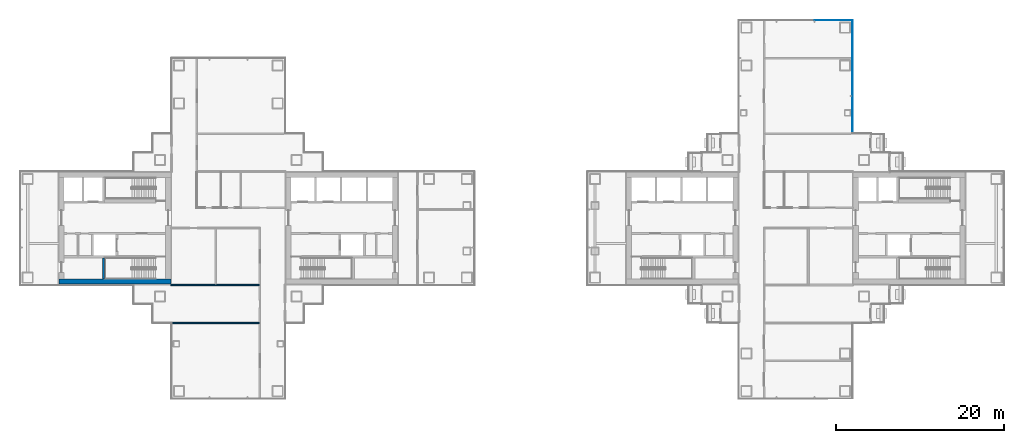
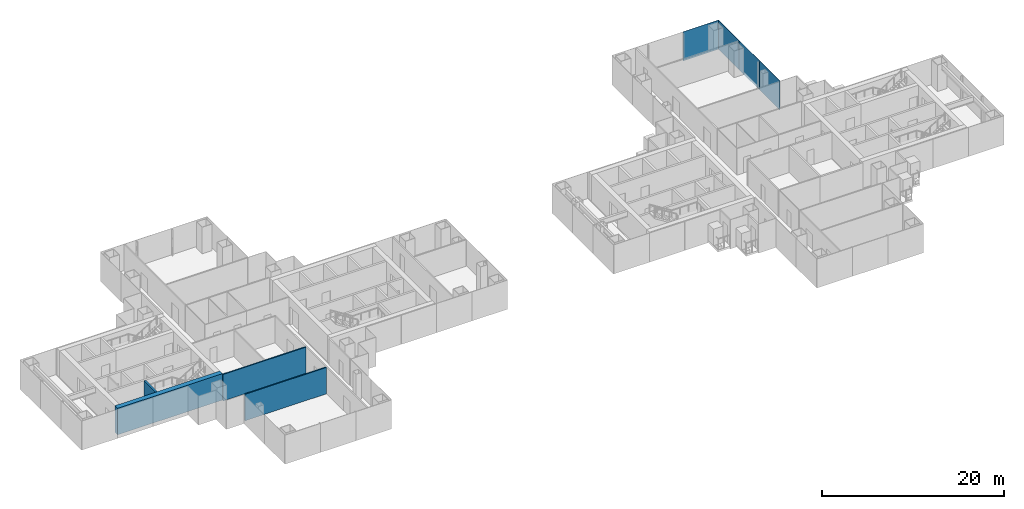
# One storey, part 11 of 20: 4 plates, 4 walls, 2 elements without a shape of their own.
"""IFC4 building model written with IfcOpenShell, lengths in metres."""

from ifc_helpers import new_model, si_unit, direction, frame, frame_2d, origin, origin_2d, place, context, subcontext, project, spatial, rectangle, extrude, material, layer, layer_set, type_object, element, aggregate, save


model = new_model("IFC4")

# Units and contexts
model_context = context("Model", 3, precision=1e-05, world=origin(), true_north=direction((0.0, 1.0)))
body_context = subcontext(model_context, "Body", "Model", "MODEL_VIEW")
ifc_project = project(units=[si_unit("LENGTHUNIT", "METRE"), si_unit("AREAUNIT", "SQUARE_METRE"), si_unit("VOLUMEUNIT", "CUBIC_METRE"), si_unit("PLANEANGLEUNIT", "RADIAN"), si_unit("MASSUNIT", "GRAM", prefix="KILO")], contexts=[model_context])

# Site, building, storey
site_placement = place(None, origin())
site = spatial("IfcSite", under=ifc_project, at=site_placement, CompositionType="ELEMENT")
building_placement = place(site_placement, origin())
building = spatial("IfcBuilding", under=site, at=building_placement, Name="Shamsa Quay Exchange Towers", CompositionType="ELEMENT")
storey_placement = place(building_placement, frame((0.0, 0.0, 109.199951171875)))
storey = spatial("IfcBuildingStorey", under=building, at=storey_placement, Name="L25", CompositionType="ELEMENT", Elevation=109.199951171875)

# Curtain wall, plates
ifc_material_1 = material(Name="Aluminium EN AW-6063 T6, black anodised", Category="aluminium")
ifc_layer_1 = layer(ifc_material_1, 0.280029296875)
ifc_layer_set_1 = layer_set([ifc_layer_1], Name="CW-1 UNITISED VISION GLASS")
curtain_wall_type = type_object("IfcCurtainWallType", Name="CW-1 UNITISED VISION GLASS", PredefinedType="NOTDEFINED", material=ifc_layer_set_1)
curtain_wall_1_placement = place(storey_placement, origin())
curtain_wall_1 = element("IfcCurtainWall", 1, at=curtain_wall_1_placement, inside=storey, type_object=curtain_wall_type, Name="CW1 T2-FLK-U+S L25", PredefinedType="NOTDEFINED")
ifc_material_2 = material(Name="Glass, laminated, dark tinted", Category="glass")
ifc_layer_2 = layer(ifc_material_2, 0.0400390625)
ifc_layer_set_2 = layer_set([ifc_layer_2], Name="CW-1 VISION GLASS 40")
plate_type = type_object("IfcPlateType", Name="CW-1 VISION GLASS 40", PredefinedType="CURTAIN_PANEL", material=ifc_layer_set_2)
plate_1_placement = place(storey_placement, frame((40.52001953125, 13.529052734375, -0.349853515625), z_axis=(0.0, 0.0, 1.0), x_axis=(0.0, 1.0, 0.0)))
plate_1 = element("IfcPlate", 2, at=plate_1_placement, type_object=plate_type, Name="CW1 glass panel", PredefinedType="CURTAIN_PANEL", context=body_context, shape_type="SweptSolid", body=[
    extrude(rectangle(XDim=4.482421875, YDim=0.0400390625, at=origin_2d()), origin(), (0.0, 0.0, 1.0), 3.89990234375),
])
plate_2_placement = place(storey_placement, frame((40.52001953125, 18.01904296875, -0.349853515625), z_axis=(0.0, 0.0, 1.0), x_axis=(0.0, 1.0, 0.0)))
plate_2 = element("IfcPlate", 3, at=plate_2_placement, type_object=plate_type, Name="CW1 glass panel", PredefinedType="CURTAIN_PANEL", context=body_context, shape_type="SweptSolid", body=[
    extrude(rectangle(XDim=4.477294921875, YDim=0.0400390625, at=origin_2d()), origin(), (0.0, 0.0, 1.0), 3.89990234375),
])
plate_3_placement = place(storey_placement, frame((40.52001953125, 22.5087890625, -0.349853515625), z_axis=(0.0, 0.0, 1.0), x_axis=(0.0, 1.0, 0.0)))
plate_3 = element("IfcPlate", 4, at=plate_3_placement, type_object=plate_type, Name="CW1 glass panel", PredefinedType="CURTAIN_PANEL", context=body_context, shape_type="SweptSolid", body=[
    extrude(rectangle(XDim=4.482421875, YDim=0.0400390625, at=origin_2d()), origin(), (0.0, 0.0, 1.0), 3.89990234375),
])
aggregate(curtain_wall_1, [plate_1, plate_2, plate_3])

# Curtain wall, plate
curtain_wall_2_placement = place(storey_placement, origin())
curtain_wall_2 = element("IfcCurtainWall", 5, at=curtain_wall_2_placement, inside=storey, type_object=curtain_wall_type, Name="CW1 T2-END-U+ L25", PredefinedType="NOTDEFINED")
plate_4_placement = place(storey_placement, frame((38.25244140625, 24.77001953125, -0.349853515625), z_axis=(0.0, 0.0, 1.0), x_axis=(-1.0, 0.0, 0.0)))
plate_4 = element("IfcPlate", 6, at=plate_4_placement, type_object=plate_type, Name="CW1 glass panel", PredefinedType="CURTAIN_PANEL", context=body_context, shape_type="SweptSolid", body=[
    extrude(rectangle(XDim=4.4951171875, YDim=0.0400390625, at=origin_2d()), origin(), (0.0, 0.0, 1.0), 3.89990234375),
])
aggregate(curtain_wall_2, [plate_4])

# Walls
ifc_material_3 = material(Name="Concrete C70/85", Category="concrete")
ifc_layer_3 = layer(ifc_material_3, 0.60009765625)
ifc_layer_set_3 = layer_set([ifc_layer_3], Name="CORE WALL 600 C70/85")
wall_type_1 = type_object("IfcWallType", Name="CORE WALL 600 C70/85", PredefinedType="SHEAR", material=ifc_layer_set_3)
wall_1_placement = place(storey_placement, frame((-40.60009765625, -6.35009765625, 0.0), z_axis=(0.0, 0.0, 1.0), x_axis=(-1.0, 0.0, 0.0)))
element("IfcWall", 7, at=wall_1_placement, inside=storey, type_object=wall_type_1, Name="Core wall T1B-R11-PS", PredefinedType="SHEAR", context=body_context, shape_type="SweptSolid", body=[
    extrude(rectangle(XDim=13.2998046875, YDim=0.60009765625, at=frame_2d((6.64990234375, 0.0))), origin(), (0.0, 0.0, 1.0), 3.550048828125),
])
ifc_material_4 = material(Name="Gypsum board partition on metal studs")
ifc_layer_4 = layer(ifc_material_4, 0.14990234375)
ifc_layer_set_4 = layer_set([ifc_layer_4], Name="Partition 150 mm EI 60")
wall_type_2 = type_object("IfcWallType", Name="Partition 150 mm EI 60", PredefinedType="PARTITIONING", material=ifc_layer_set_4)
wall_2_placement = place(storey_placement, frame((-40.405029296875, -11.25, 0.0)))
element("IfcWall", 8, at=wall_2_placement, inside=storey, type_object=wall_type_2, Name="Partition T1-R11-W14", PredefinedType="PARTITIONING", context=body_context, shape_type="SweptSolid", body=[
    extrude(rectangle(XDim=10.330078125, YDim=0.14990234375, at=frame_2d((5.1650390625, 0.0))), origin(), (0.0, 0.0, 1.0), 3.550048828125),
])
wall_3_placement = place(storey_placement, frame((-30.074951171875, -6.75, 0.0), z_axis=(0.0, 0.0, 1.0), x_axis=(-1.0, 0.0, 0.0)))
element("IfcWall", 9, at=wall_3_placement, inside=storey, type_object=wall_type_2, Name="Partition T1-R11-W15", PredefinedType="PARTITIONING", context=body_context, shape_type="SweptSolid", body=[
    extrude(rectangle(XDim=10.525146484375, YDim=0.14990234375, at=frame_2d((5.2626953125, 0.0))), origin(), (0.0, 0.0, 1.0), 3.550048828125),
])
ifc_material_5 = material(Name="Concrete C50/60", Category="concrete")
ifc_layer_5 = layer(ifc_material_5, 0.25)
ifc_layer_set_5 = layer_set([ifc_layer_5], Name="SHAFT WALL 250 C50/60")
wall_type_3 = type_object("IfcWallType", Name="SHAFT WALL 250 C50/60", PredefinedType="SHEAR", material=ifc_layer_set_5)
wall_4_placement = place(storey_placement, frame((-48.625, -6.050048828125, 0.0), z_axis=(0.0, 0.0, 1.0), x_axis=(0.0, 1.0, 0.0)))
element("IfcWall", 10, at=wall_4_placement, inside=storey, type_object=wall_type_3, Name="Shaft wall T1B-R11-STF", PredefinedType="SHEAR", context=body_context, shape_type="SweptSolid", body=[
    extrude(rectangle(XDim=2.550048828125, YDim=0.25, at=frame_2d((1.27490234375, 0.0))), origin(), (0.0, 0.0, 1.0), 3.550048828125),
])

save(model, "model.ifc")
